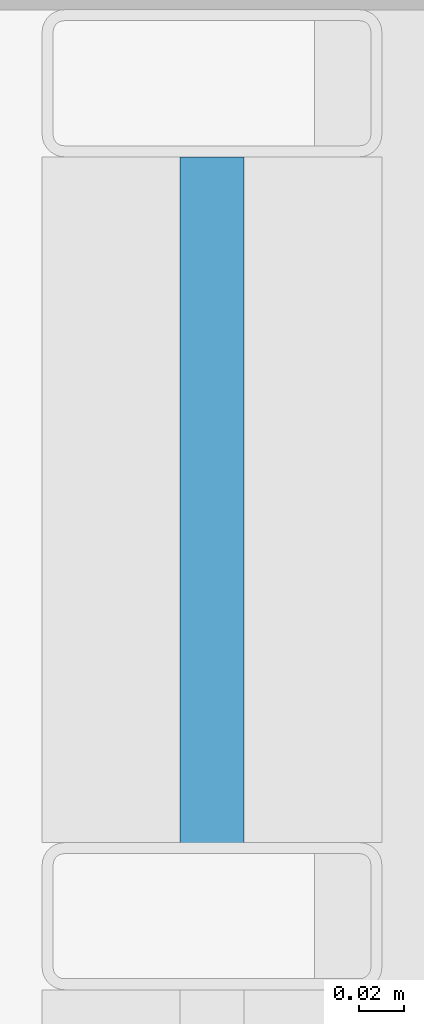
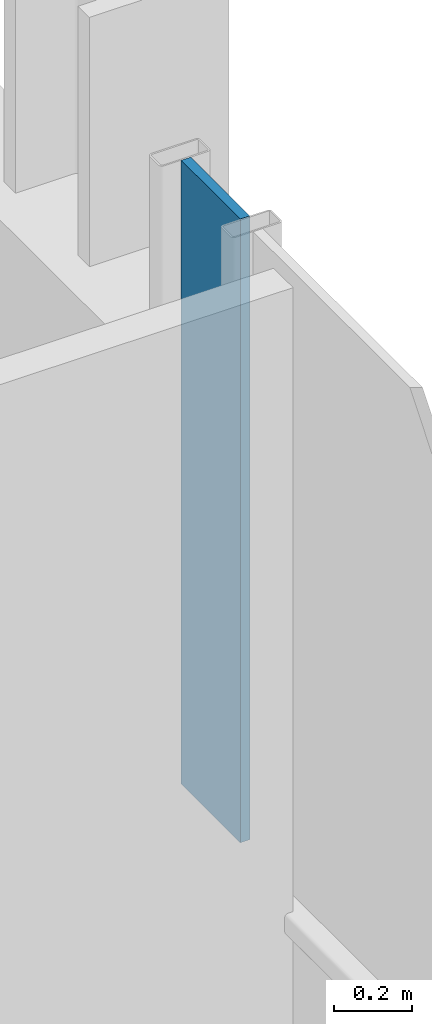
# One storey, part 28 of 40: 1 plate, 1 element without a shape of its own.
"""IFC4 building model written with IfcOpenShell, lengths in metres."""

from ifc_helpers import new_model, si_unit, direction, frame, origin, origin_2d, place, context, subcontext, project, spatial, rectangle, extrude, material, layer, layer_set, type_object, element, aggregate, save


model = new_model("IFC4")

# Units and contexts
model_context = context("Model", 3, precision=1e-05, world=origin(), true_north=direction((0.0, 1.0)))
body_context = subcontext(model_context, "Body", "Model", "MODEL_VIEW")
ifc_project = project(units=[si_unit("LENGTHUNIT", "METRE"), si_unit("AREAUNIT", "SQUARE_METRE"), si_unit("VOLUMEUNIT", "CUBIC_METRE"), si_unit("PLANEANGLEUNIT", "RADIAN"), si_unit("MASSUNIT", "GRAM", prefix="KILO")], contexts=[model_context])

# Site, building, storey
site_placement = place(None, origin())
site = spatial("IfcSite", under=ifc_project, at=site_placement, CompositionType="ELEMENT")
building_placement = place(site_placement, origin())
building = spatial("IfcBuilding", under=site, at=building_placement, Name="Brevholm Reach", CompositionType="ELEMENT")
storey_placement = place(building_placement, frame((0.0, 0.0, 125.199951171875)))
storey = spatial("IfcBuildingStorey", under=building, at=storey_placement, Name="L37", CompositionType="ELEMENT", Elevation=125.199951171875)

# Curtain wall, plate
ifc_material_1 = material(Name="Dark Anodised Aluminium 6063-T6 and Solar-Control Glass", Category="aluminium")
ifc_layer_1 = layer(ifc_material_1, 0.14990234375)
ifc_layer_set_1 = layer_set([ifc_layer_1], Name="Dark Anodised Aluminium 6063-T6 and Solar-Control Glass")
curtain_wall_type = type_object("IfcCurtainWallType", Name="CW-01", PredefinedType="NOTDEFINED", material=ifc_layer_set_1)
curtain_wall_placement = place(storey_placement, origin())
curtain_wall = element("IfcCurtainWall", 1, at=curtain_wall_placement, inside=storey, type_object=curtain_wall_type, Name="L37 Curtain Wall CW-01", PredefinedType="NOTDEFINED")
ifc_material_2 = material(Name="Dark Solar-Control Double-Glazed IGU Glass", Category="glass")
ifc_layer_2 = layer(ifc_material_2, 0.028076171875)
ifc_layer_set_2 = layer_set([ifc_layer_2], Name="Dark Solar-Control Double-Glazed IGU Glass")
plate_type = type_object("IfcPlateType", Name="CWP-GLZ-28", PredefinedType="CURTAIN_PANEL", material=ifc_layer_set_2)
plate_placement = place(storey_placement, frame((59.85009765625, 22.733642578125, 0.9326171875), z_axis=(0.0, 0.0, 1.0), x_axis=(0.0, 1.0, 0.0)))
plate = element("IfcPlate", 2, at=plate_placement, type_object=plate_type, Name="CP-01 Glazing Panel 5.2", PredefinedType="CURTAIN_PANEL", context=body_context, shape_type="SweptSolid", body=[
    extrude(rectangle(XDim=0.302490234375, YDim=0.028076171875, at=origin_2d()), origin(), (0.0, 0.0, 1.0), 1.947509765625),
])
aggregate(curtain_wall, [plate])

save(model, "model.ifc")
